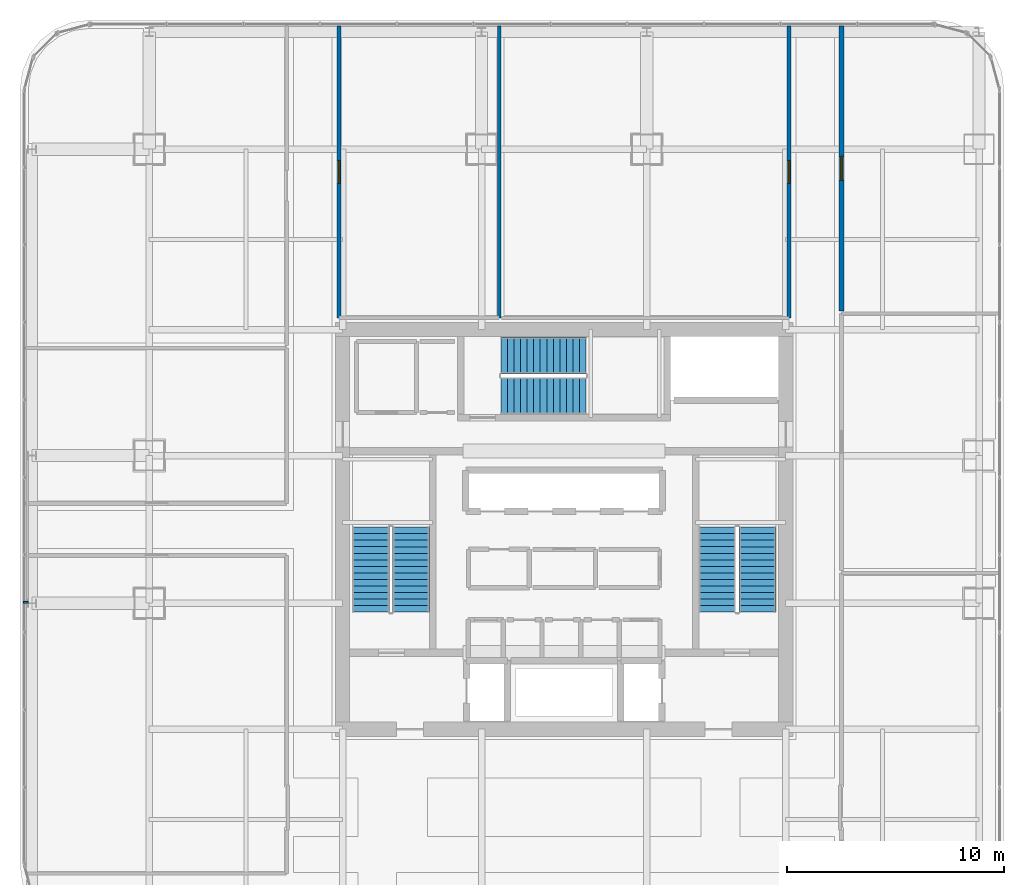
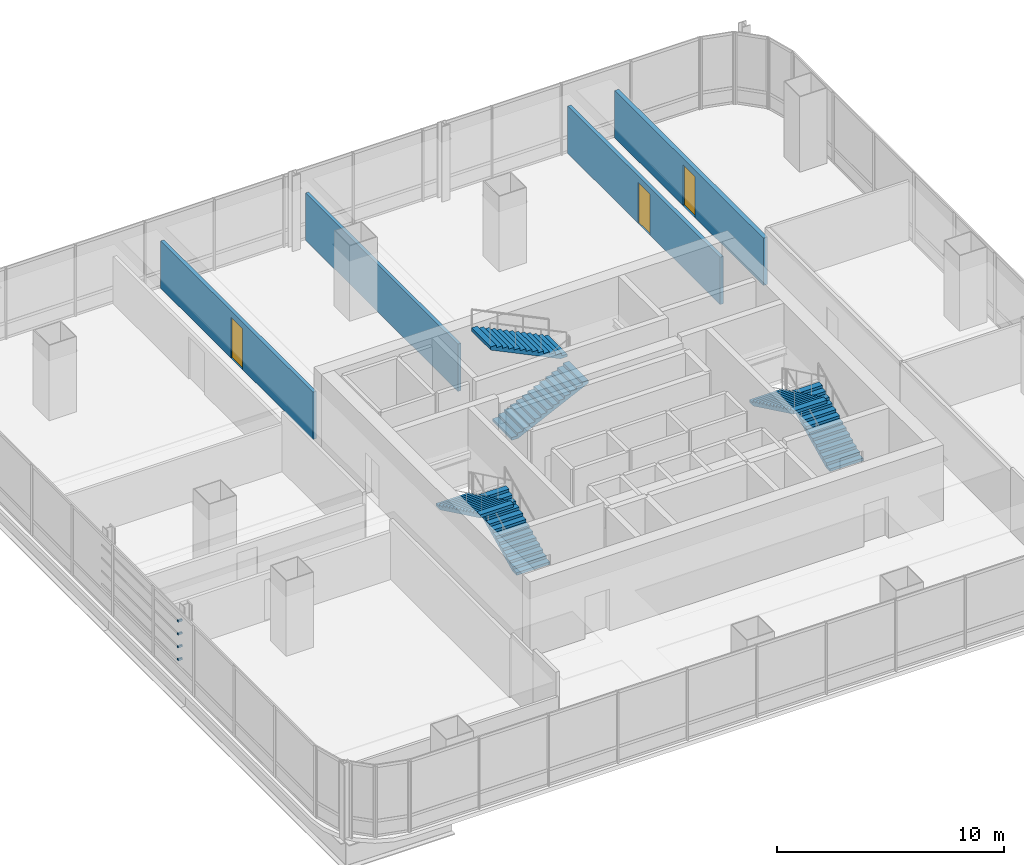
# One storey, part 32 of 38: 6 stair flights, 4 discrete accessories, 4 walls, 3 doors, 3 openings, 3 elements without a shape of their own.
"""IFC4 building model written with IfcOpenShell, lengths in metres."""

from ifc_helpers import new_model, si_unit, direction, frame, frame_2d, origin, origin_2d, place, context, subcontext, project, spatial, polyline, rectangle, outline, extrude, material, layer, layer_set, type_object, element, fill, aggregate, save


model = new_model("IFC4")

# Units and contexts
model_context = context("Model", 3, precision=1e-05, world=origin(), true_north=direction((0.0, 1.0)))
body_context = subcontext(model_context, "Body", "Model", "MODEL_VIEW")
ifc_project = project(units=[si_unit("LENGTHUNIT", "METRE"), si_unit("AREAUNIT", "SQUARE_METRE"), si_unit("VOLUMEUNIT", "CUBIC_METRE"), si_unit("PLANEANGLEUNIT", "RADIAN"), si_unit("MASSUNIT", "GRAM", prefix="KILO")], contexts=[model_context])

# Site, building, storey
site_placement = place(None, origin())
site = spatial("IfcSite", under=ifc_project, at=site_placement, CompositionType="ELEMENT")
building_placement = place(site_placement, origin())
building = spatial("IfcBuilding", under=site, at=building_placement, Name="Punatoya Terracotta Tower", CompositionType="ELEMENT")
storey_placement = place(building_placement, frame((0.0, 0.0, 147.89990234375)))
storey = spatial("IfcBuildingStorey", under=building, at=storey_placement, Name="L34", CompositionType="ELEMENT", Elevation=147.89990234375)

# Wall, opening, door
ifc_material_1 = material(Name="Gypsum Fireboard + Steel Stud", Category="steel")
ifc_layer_1 = layer(ifc_material_1, 0.179931640625)
ifc_layer_set_1 = layer_set([ifc_layer_1], Name="Gypsum Fireboard + Steel Stud")
wall_type_1 = type_object("IfcWallType", Name="WL-CORR-180", PredefinedType="PARTITIONING", material=ifc_layer_set_1)
wall_1_placement = place(storey_placement, frame((-10.360107421875, 9.739990234375, 0.0), z_axis=(0.0, 0.0, 1.0), x_axis=(0.0, 1.0, 0.0)))
wall_1 = element("IfcWall", 1, at=wall_1_placement, inside=storey, type_object=wall_type_1, Name="L34 Open-Plan Laboratory Staff Pantry Partition 46", PredefinedType="PARTITIONING", context=body_context, shape_type="SweptSolid", body=[
    extrude(rectangle(XDim=13.429931640625, YDim=0.179931640625, at=frame_2d((6.71484375, 0.0))), origin(), (0.0, 0.0, 1.0), 2.544189453125),
])
opening_1_placement = place(wall_1_placement, frame((6.18994140625, 0.0, 0.0)))
opening_1 = element("IfcOpeningElement", 2, at=opening_1_placement, cuts=wall_1, Name="Opening OD-01", PredefinedType="OPENING", context=body_context, shape_type="SweptSolid", body=[
    extrude(rectangle(XDim=1.050048828125, YDim=2.199951171875, at=frame_2d((0.52490234375, 1.10009765625))), frame((0.0, 0.099853515625, 0.0), z_axis=(0.0, -1.0, 0.0), x_axis=(1.0, 0.0, 0.0)), (0.0, 0.0, 1.0), 0.199951171875),
])
ifc_material_2 = material(Name="Bengal Teak Solid-Core Leaf")
door_type_1 = type_object("IfcDoorType", Name="DR-OFF-1050", OperationType="NOTDEFINED", PredefinedType="DOOR", material=ifc_material_2)
door_1_placement = place(opening_1_placement, origin())
door_1 = element("IfcDoor", 3, at=door_1_placement, inside=storey, type_object=door_type_1, Name="L34 Open-Plan Laboratory Staff Pantry Door", OperationType="SINGLE_SWING_RIGHT", OverallHeight=2.199951171875, OverallWidth=1.050048828125, PredefinedType="DOOR", context=body_context, shape_type="SweptSolid", body=[
    extrude(rectangle(XDim=1.050048828125, YDim=2.199951171875, at=frame_2d((0.52490234375, 1.10009765625))), frame((0.0, 0.02490234375, 0.0), z_axis=(0.0, -1.0, 0.0), x_axis=(1.0, 0.0, 0.0)), (0.0, 0.0, 1.0), 0.050048828125),
])
fill(opening_1, door_1)

wall_2_placement = place(storey_placement, frame((10.360107421875, 23.169921875, 0.0), z_axis=(0.0, 0.0, 1.0), x_axis=(0.0, -1.0, 0.0)))
wall_2 = element("IfcWall", 4, at=wall_2_placement, inside=storey, type_object=wall_type_1, Name="L34 Wellness Rest Room Partition 48", PredefinedType="PARTITIONING", context=body_context, shape_type="SweptSolid", body=[
    extrude(rectangle(XDim=13.429931640625, YDim=0.179931640625, at=frame_2d((6.71484375, 0.0))), origin(), (0.0, 0.0, 1.0), 2.544189453125),
])
opening_2_placement = place(wall_2_placement, frame((6.18994140625, 0.0, 0.0)))
opening_2 = element("IfcOpeningElement", 5, at=opening_2_placement, cuts=wall_2, Name="Opening OD-01", PredefinedType="OPENING", context=body_context, shape_type="SweptSolid", body=[
    extrude(rectangle(XDim=1.050048828125, YDim=2.199951171875, at=frame_2d((0.52490234375, 1.10009765625))), frame((0.0, 0.099853515625, 0.0), z_axis=(0.0, -1.0, 0.0), x_axis=(1.0, 0.0, 0.0)), (0.0, 0.0, 1.0), 0.199951171875),
])
door_2_placement = place(opening_2_placement, origin())
door_2 = element("IfcDoor", 6, at=door_2_placement, inside=storey, type_object=door_type_1, Name="L34 Wellness Rest Room Door", OperationType="SINGLE_SWING_LEFT", OverallHeight=2.199951171875, OverallWidth=1.050048828125, PredefinedType="DOOR", context=body_context, shape_type="SweptSolid", body=[
    extrude(rectangle(XDim=1.050048828125, YDim=2.199951171875, at=frame_2d((0.52490234375, 1.10009765625))), frame((0.0, 0.02490234375, 0.0), z_axis=(0.0, -1.0, 0.0), x_axis=(1.0, 0.0, 0.0)), (0.0, 0.0, 1.0), 0.050048828125),
])
fill(opening_2, door_2)

ifc_material_3 = material(Name="Concrete C40/50", Category="concrete")
ifc_layer_2 = layer(ifc_material_3, 0.219970703125)
ifc_layer_set_2 = layer_set([ifc_layer_2], Name="Concrete C40/50")
wall_type_2 = type_object("IfcWallType", Name="WL-FIR-220", PredefinedType="SOLIDWALL", material=ifc_layer_set_2)
wall_3_placement = place(storey_placement, frame((12.77001953125, 10.06201171875, 0.0), z_axis=(0.0, 0.0, 1.0), x_axis=(0.0, 1.0, 0.0)))
wall_3 = element("IfcWall", 7, at=wall_3_placement, inside=storey, type_object=wall_type_2, Name="L34 Open-Plan Geospatial Data Archive Partition 49", PredefinedType="SOLIDWALL", context=body_context, shape_type="SweptSolid", body=[
    extrude(rectangle(XDim=13.10791015625, YDim=0.219970703125, at=frame_2d((6.553955078125, 0.0))), origin(), (0.0, 0.0, 1.0), 2.544189453125),
])
opening_3_placement = place(wall_3_placement, frame((6.00390625, 0.0, 0.0)))
opening_3 = element("IfcOpeningElement", 8, at=opening_3_placement, cuts=wall_3, Name="Opening FD-P1", PredefinedType="OPENING", context=body_context, shape_type="SweptSolid", body=[
    extrude(rectangle(XDim=1.10009765625, YDim=2.199951171875, at=frame_2d((0.550048828125, 1.10009765625))), frame((0.0, 0.119873046875, 0.0), z_axis=(0.0, -1.0, 0.0), x_axis=(1.0, 0.0, 0.0)), (0.0, 0.0, 1.0), 0.239990234375),
])
ifc_material_4 = material(Name="Galvanised Steel Plant Fire Door", Category="steel")
door_type_2 = type_object("IfcDoorType", Name="DR-PLT-1100", OperationType="NOTDEFINED", PredefinedType="DOOR", material=ifc_material_4)
door_3_placement = place(opening_3_placement, origin())
door_3 = element("IfcDoor", 9, at=door_3_placement, inside=storey, type_object=door_type_2, Name="L34 Open-Plan Geospatial Data Archive Fire Door", OperationType="SINGLE_SWING_RIGHT", OverallHeight=2.199951171875, OverallWidth=1.10009765625, PredefinedType="DOOR", context=body_context, shape_type="SweptSolid", body=[
    extrude(rectangle(XDim=1.10009765625, YDim=2.199951171875, at=frame_2d((0.550048828125, 1.10009765625))), frame((0.0, 0.02490234375, 0.0), z_axis=(0.0, -1.0, 0.0), x_axis=(1.0, 0.0, 0.0)), (0.0, 0.0, 1.0), 0.050048828125),
])
fill(opening_3, door_3)

# Wall
ifc_material_5 = material(Name="Masonry Blockwork + Ceramic Tile", Category="masonry")
ifc_layer_3 = layer(ifc_material_5, 0.159912109375)
ifc_layer_set_3 = layer_set([ifc_layer_3], Name="Masonry Blockwork + Ceramic Tile")
wall_type_3 = type_object("IfcWallType", Name="WL-WET-160", PredefinedType="PARTITIONING", material=ifc_layer_set_3)
wall_4_placement = place(storey_placement, frame((-2.993896484375, 23.169921875, 0.0), z_axis=(0.0, 0.0, 1.0), x_axis=(0.0, -1.0, 0.0)))
element("IfcWall", 10, at=wall_4_placement, inside=storey, type_object=wall_type_3, Name="L34 Open-Plan Laboratory Staff Pantry Partition 44", PredefinedType="PARTITIONING", context=body_context, shape_type="SweptSolid", body=[
    extrude(rectangle(XDim=13.429931640625, YDim=0.159912109375, at=frame_2d((6.71484375, 0.0))), origin(), (0.0, 0.0, 1.0), 2.544189453125),
])

# Stair, stair flights
stair_type_1 = type_object("IfcStairType", Name="STR-CORE-1550", PredefinedType="HALF_TURN_STAIR", material=ifc_material_3)
stair_1_placement = place(storey_placement, origin())
stair_1 = element("IfcStair", 11, at=stair_1_placement, inside=storey, type_object=stair_type_1, Name="L34 Protected Core Exit Stair ST-1", PredefinedType="HALF_TURN_STAIR")
stair_flight_type_1 = type_object("IfcStairFlightType", Name="SFL-CORE-1550", PredefinedType="STRAIGHT", material=ifc_material_3)
stair_flight_1_placement = place(storey_placement, frame((-7.050048828125, -3.800048828125, 0.0), z_axis=(0.0, 0.0, 1.0), x_axis=(0.0, 1.0, 0.0)))
stair_flight_1 = element("IfcStairFlight", 12, at=stair_flight_1_placement, type_object=stair_flight_type_1, Name="ST-1 flight 1", NumberOfRisers=14, NumberOfTreads=13, PredefinedType="STRAIGHT", RiserHeight=0.144642857, TreadLength=0.3, context=body_context, shape_type="SweptSolid", body=[
    extrude(outline(polyline([(0.0, 0.0), (0.0, 0.14453125), (0.300048828125, 0.14453125), (0.300048828125, 0.289306640625), (0.60009765625, 0.289306640625), (0.60009765625, 0.433837890625), (0.89990234375, 0.433837890625), (0.89990234375, 0.57861328125), (1.199951171875, 0.57861328125), (1.199951171875, 0.72314453125), (1.5, 0.72314453125), (1.5, 0.867919921875), (1.800048828125, 0.867919921875), (1.800048828125, 1.012451171875), (2.10009765625, 1.012451171875), (2.10009765625, 1.1572265625), (2.39990234375, 1.1572265625), (2.39990234375, 1.3017578125), (2.699951171875, 1.3017578125), (2.699951171875, 1.446533203125), (3.0, 1.446533203125), (3.0, 1.591064453125), (3.300048828125, 1.591064453125), (3.300048828125, 1.735595703125), (3.60009765625, 1.735595703125), (3.60009765625, 1.88037109375), (3.89990234375, 1.88037109375), (3.89990234375, 2.02490234375), (3.89990234375, 1.7138671875), (0.34521484375, 0.0), (0.0, 0.0)])), frame((0.0, 0.85009765625, 0.0), z_axis=(0.0, -1.0, 0.0), x_axis=(1.0, 0.0, 0.0)), (0.0, 0.0, 1.0), 1.699951171875),
])
stair_flight_2_placement = place(storey_placement, frame((-8.89990234375, 0.10009765625, 2.025146484375), z_axis=(0.0, 0.0, 1.0), x_axis=(0.0, -1.0, 0.0)))
stair_flight_2 = element("IfcStairFlight", 13, at=stair_flight_2_placement, type_object=stair_flight_type_1, Name="ST-1 flight 2", NumberOfRisers=14, NumberOfTreads=13, PredefinedType="STRAIGHT", RiserHeight=0.144642857, TreadLength=0.3, context=body_context, shape_type="SweptSolid", body=[
    extrude(outline(polyline([(0.0, 0.0), (0.0, 0.14453125), (0.300048828125, 0.14453125), (0.300048828125, 0.289306640625), (0.60009765625, 0.289306640625), (0.60009765625, 0.433837890625), (0.89990234375, 0.433837890625), (0.89990234375, 0.57861328125), (1.199951171875, 0.57861328125), (1.199951171875, 0.72314453125), (1.5, 0.72314453125), (1.5, 0.867919921875), (1.800048828125, 0.867919921875), (1.800048828125, 1.012451171875), (2.10009765625, 1.012451171875), (2.10009765625, 1.1572265625), (2.39990234375, 1.1572265625), (2.39990234375, 1.3017578125), (2.699951171875, 1.3017578125), (2.699951171875, 1.446533203125), (3.0, 1.446533203125), (3.0, 1.591064453125), (3.300048828125, 1.591064453125), (3.300048828125, 1.735595703125), (3.60009765625, 1.735595703125), (3.60009765625, 1.88037109375), (3.89990234375, 1.88037109375), (3.89990234375, 2.02490234375), (3.89990234375, 1.7138671875), (0.34521484375, 0.0), (0.0, 0.0)])), frame((0.0, 0.85009765625, 0.0), z_axis=(0.0, -1.0, 0.0), x_axis=(1.0, 0.0, 0.0)), (0.0, 0.0, 1.0), 1.699951171875),
])
aggregate(stair_1, [stair_flight_1, stair_flight_2])

stair_type_2 = type_object("IfcStairType", Name="STR-LOB-1650", PredefinedType="HALF_TURN_STAIR", material=ifc_material_3)
stair_2_placement = place(storey_placement, origin())
stair_2 = element("IfcStair", 14, at=stair_2_placement, inside=storey, type_object=stair_type_2, Name="L34 Protected Core Exit Stair ST-2", PredefinedType="HALF_TURN_STAIR")
stair_flight_type_2 = type_object("IfcStairFlightType", Name="SFL-LOB-1650", PredefinedType="STRAIGHT", material=ifc_material_3)
stair_flight_3_placement = place(storey_placement, frame((8.89990234375, -3.800048828125, 0.0), z_axis=(0.0, 0.0, 1.0), x_axis=(0.0, 1.0, 0.0)))
stair_flight_3 = element("IfcStairFlight", 15, at=stair_flight_3_placement, type_object=stair_flight_type_2, Name="ST-2 flight 1", NumberOfRisers=14, NumberOfTreads=13, PredefinedType="STRAIGHT", RiserHeight=0.144642857, TreadLength=0.3, context=body_context, shape_type="SweptSolid", body=[
    extrude(outline(polyline([(0.0, 0.0), (0.0, 0.14453125), (0.300048828125, 0.14453125), (0.300048828125, 0.289306640625), (0.60009765625, 0.289306640625), (0.60009765625, 0.433837890625), (0.89990234375, 0.433837890625), (0.89990234375, 0.57861328125), (1.199951171875, 0.57861328125), (1.199951171875, 0.72314453125), (1.5, 0.72314453125), (1.5, 0.867919921875), (1.800048828125, 0.867919921875), (1.800048828125, 1.012451171875), (2.10009765625, 1.012451171875), (2.10009765625, 1.1572265625), (2.39990234375, 1.1572265625), (2.39990234375, 1.3017578125), (2.699951171875, 1.3017578125), (2.699951171875, 1.446533203125), (3.0, 1.446533203125), (3.0, 1.591064453125), (3.300048828125, 1.591064453125), (3.300048828125, 1.735595703125), (3.60009765625, 1.735595703125), (3.60009765625, 1.88037109375), (3.89990234375, 1.88037109375), (3.89990234375, 2.02490234375), (3.89990234375, 1.7138671875), (0.34521484375, 0.0), (0.0, 0.0)])), frame((0.0, 0.85009765625, 0.0), z_axis=(0.0, -1.0, 0.0), x_axis=(1.0, 0.0, 0.0)), (0.0, 0.0, 1.0), 1.699951171875),
])
stair_flight_4_placement = place(storey_placement, frame((7.050048828125, 0.10009765625, 2.025146484375), z_axis=(0.0, 0.0, 1.0), x_axis=(0.0, -1.0, 0.0)))
stair_flight_4 = element("IfcStairFlight", 16, at=stair_flight_4_placement, type_object=stair_flight_type_2, Name="ST-2 flight 2", NumberOfRisers=14, NumberOfTreads=13, PredefinedType="STRAIGHT", RiserHeight=0.144642857, TreadLength=0.3, context=body_context, shape_type="SweptSolid", body=[
    extrude(outline(polyline([(0.0, 0.0), (0.0, 0.14453125), (0.300048828125, 0.14453125), (0.300048828125, 0.289306640625), (0.60009765625, 0.289306640625), (0.60009765625, 0.433837890625), (0.89990234375, 0.433837890625), (0.89990234375, 0.57861328125), (1.199951171875, 0.57861328125), (1.199951171875, 0.72314453125), (1.5, 0.72314453125), (1.5, 0.867919921875), (1.800048828125, 0.867919921875), (1.800048828125, 1.012451171875), (2.10009765625, 1.012451171875), (2.10009765625, 1.1572265625), (2.39990234375, 1.1572265625), (2.39990234375, 1.3017578125), (2.699951171875, 1.3017578125), (2.699951171875, 1.446533203125), (3.0, 1.446533203125), (3.0, 1.591064453125), (3.300048828125, 1.591064453125), (3.300048828125, 1.735595703125), (3.60009765625, 1.735595703125), (3.60009765625, 1.88037109375), (3.89990234375, 1.88037109375), (3.89990234375, 2.02490234375), (3.89990234375, 1.7138671875), (0.34521484375, 0.0), (0.0, 0.0)])), frame((0.0, 0.85009765625, 0.0), z_axis=(0.0, -1.0, 0.0), x_axis=(1.0, 0.0, 0.0)), (0.0, 0.0, 1.0), 1.699951171875),
])
aggregate(stair_2, [stair_flight_3, stair_flight_4])

stair_type_3 = type_object("IfcStairType", Name="STR-TER-1450", PredefinedType="HALF_TURN_STAIR", material=ifc_material_3)
stair_3_placement = place(storey_placement, origin())
stair_3 = element("IfcStair", 17, at=stair_3_placement, inside=storey, type_object=stair_type_3, Name="L34 Protected Core Exit Stair ST-3", PredefinedType="HALF_TURN_STAIR")
stair_flight_type_3 = type_object("IfcStairFlightType", Name="SFL-TER-1450", PredefinedType="STRAIGHT", material=ifc_material_3)
stair_flight_5_placement = place(storey_placement, frame((-2.89990234375, 6.14990234375, 0.0), z_axis=(0.0, 0.0, 1.0), x_axis=(1.0, 0.0, 0.0)))
stair_flight_5 = element("IfcStairFlight", 18, at=stair_flight_5_placement, type_object=stair_flight_type_3, Name="ST-3 flight 1", NumberOfRisers=14, NumberOfTreads=13, PredefinedType="STRAIGHT", RiserHeight=0.144642857, TreadLength=0.3, context=body_context, shape_type="SweptSolid", body=[
    extrude(outline(polyline([(0.0, 0.0), (0.0, 0.14453125), (0.300048828125, 0.14453125), (0.300048828125, 0.289306640625), (0.60009765625, 0.289306640625), (0.60009765625, 0.433837890625), (0.89990234375, 0.433837890625), (0.89990234375, 0.57861328125), (1.199951171875, 0.57861328125), (1.199951171875, 0.72314453125), (1.5, 0.72314453125), (1.5, 0.867919921875), (1.800048828125, 0.867919921875), (1.800048828125, 1.012451171875), (2.10009765625, 1.012451171875), (2.10009765625, 1.1572265625), (2.39990234375, 1.1572265625), (2.39990234375, 1.3017578125), (2.699951171875, 1.3017578125), (2.699951171875, 1.446533203125), (3.0, 1.446533203125), (3.0, 1.591064453125), (3.300048828125, 1.591064453125), (3.300048828125, 1.735595703125), (3.60009765625, 1.735595703125), (3.60009765625, 1.88037109375), (3.89990234375, 1.88037109375), (3.89990234375, 2.02490234375), (3.89990234375, 1.7138671875), (0.34521484375, 0.0), (0.0, 0.0)])), frame((0.0, 0.85009765625, 0.0), z_axis=(0.0, -1.0, 0.0), x_axis=(1.0, 0.0, 0.0)), (0.0, 0.0, 1.0), 1.699951171875),
])
stair_flight_6_placement = place(storey_placement, frame((1.0, 8.0, 2.025146484375), z_axis=(0.0, 0.0, 1.0), x_axis=(-1.0, 0.0, 0.0)))
stair_flight_6 = element("IfcStairFlight", 19, at=stair_flight_6_placement, type_object=stair_flight_type_3, Name="ST-3 flight 2", NumberOfRisers=14, NumberOfTreads=13, PredefinedType="STRAIGHT", RiserHeight=0.144642857, TreadLength=0.3, context=body_context, shape_type="SweptSolid", body=[
    extrude(outline(polyline([(0.0, 0.0), (0.0, 0.14453125), (0.300048828125, 0.14453125), (0.300048828125, 0.289306640625), (0.60009765625, 0.289306640625), (0.60009765625, 0.433837890625), (0.89990234375, 0.433837890625), (0.89990234375, 0.57861328125), (1.199951171875, 0.57861328125), (1.199951171875, 0.72314453125), (1.5, 0.72314453125), (1.5, 0.867919921875), (1.800048828125, 0.867919921875), (1.800048828125, 1.012451171875), (2.10009765625, 1.012451171875), (2.10009765625, 1.1572265625), (2.39990234375, 1.1572265625), (2.39990234375, 1.3017578125), (2.699951171875, 1.3017578125), (2.699951171875, 1.446533203125), (3.0, 1.446533203125), (3.0, 1.591064453125), (3.300048828125, 1.591064453125), (3.300048828125, 1.735595703125), (3.60009765625, 1.735595703125), (3.60009765625, 1.88037109375), (3.89990234375, 1.88037109375), (3.89990234375, 2.02490234375), (3.89990234375, 1.7138671875), (0.34521484375, 0.0), (0.0, 0.0)])), frame((0.0, 0.85009765625, 0.0), z_axis=(0.0, -1.0, 0.0), x_axis=(1.0, 0.0, 0.0)), (0.0, 0.0, 1.0), 1.699951171875),
])
aggregate(stair_3, [stair_flight_5, stair_flight_6])

# Discrete accessories
ifc_material_6 = material(Name="Steel S355", Category="steel")
discrete_accessory_type = type_object("IfcDiscreteAccessoryType", Name="ACC-BRK-220", PredefinedType="BRACKET", material=ifc_material_6)
for number, where, z_axis, x_axis, name in (
    (20, (-24.782470703125, -3.35009765625, 1.10009765625), (0.0, 0.0, 1.0), (0.0, 1.0, 0.0), "L34 Baguette Louvre Column Bracket BAG-L34-W-01"),
    (21, (-24.782470703125, -3.35009765625, 1.79345703125), (0.0, 0.0, 1.0), (0.0, 1.0, 0.0), "L34 Baguette Louvre Column Bracket BAG-L34-W-02"),
    (22, (-24.782470703125, -3.35009765625, 2.48681640625), (0.0, 0.0, 1.0), (0.0, 1.0, 0.0), "L34 Baguette Louvre Column Bracket BAG-L34-W-03"),
    (23, (-24.782470703125, -3.35009765625, 3.179931640625), (0.0, 0.0, 1.0), (0.0, 1.0, 0.0), "L34 Baguette Louvre Column Bracket BAG-L34-W-04"),
):
    element("IfcDiscreteAccessory", number, at=place(storey_placement, frame(where, z_axis=z_axis, x_axis=x_axis)), inside=storey, type_object=discrete_accessory_type, Name=name, PredefinedType="BRACKET", context=body_context, shape_type="SweptSolid", body=[
        extrude(rectangle(XDim=0.090087890625, YDim=0.219970703125, at=origin_2d()), origin(), (0.0, 0.0, 1.0), 0.10009765625),
    ])

save(model, "model.ifc")
